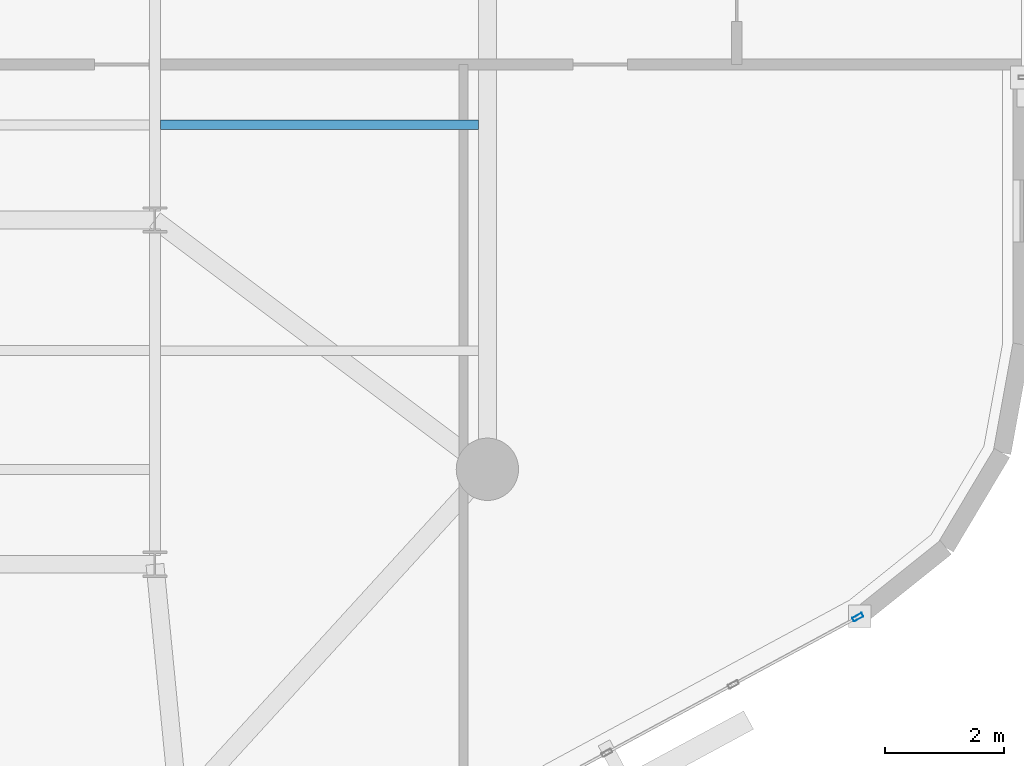
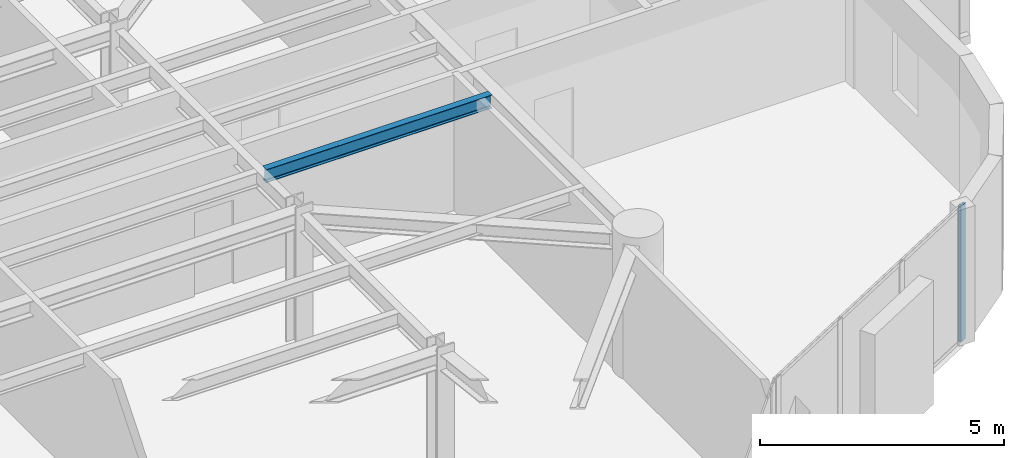
# One storey, part 3 of 15: 1 beam, 1 member, 1 element without a shape of its own.
"""IFC4 building model written with IfcOpenShell, lengths in metres."""

import ifcopenshell
import ifcopenshell.guid

model = None  # the IFC model being written
_history = None  # IfcOwnerHistory: only IFC2X3 demands one
_inside = {}  # id of a spatial element -> (the spatial element, [elements in it])
_under = {}  # id of a project, library or spatial element -> (it, [spatial elements below it])
_declared = {}  # id of a project -> (the project, [libraries it declares])
_typed = {}  # id of a type object -> (the type object, [elements of that type])
_made_of = {}  # id of a material, layer set ... -> (it, [elements and type objects made of it])


def new_model(schema):
    """Start an empty IFC model of exactly this schema.

    Asked for "IFC4X3", IfcOpenShell would pick the latest addendum, in which some entities
    have other attributes; the version numbers below select the first issue.
    IFC2X3 requires an IfcOwnerHistory on every rooted entity: one is made here for all.
    """
    global model, _history
    if schema == "IFC4X3":
        model = ifcopenshell.file(schema_version=(4, 3, 0, 0))
    else:
        model = ifcopenshell.file(schema=schema)
    _inside.clear()
    _under.clear()
    _declared.clear()
    _typed.clear()
    _made_of.clear()
    _history = None
    if model.schema == "IFC2X3":
        org = make("IfcOrganization", Name="unknown")
        user = make(
            "IfcPersonAndOrganization",
            ThePerson=make("IfcPerson", FamilyName="unknown"),
            TheOrganization=org,
        )
        app = make(
            "IfcApplication",
            ApplicationDeveloper=org,
            Version="unknown",
            ApplicationFullName="unknown",
            ApplicationIdentifier="unknown",
        )
        _history = make(
            "IfcOwnerHistory",
            OwningUser=user,
            OwningApplication=app,
            ChangeAction="ADDED",
            CreationDate=0,
        )
    return model


def make(cls, **values):
    """One entity of the class cls with the attributes given. An attribute that is None is left unset."""
    return model.create_entity(
        cls, **{name: value for name, value in values.items() if value is not None}
    )


def rooted(cls, **values):
    """An entity with a GlobalId (a new one), such as an element, a storey or a relation."""
    return make(cls, GlobalId=ifcopenshell.guid.new(), OwnerHistory=_history, **values)


def si_unit(unit_type, name, prefix=None):
    """IfcSIUnit, for example si_unit("LENGTHUNIT", "METRE", prefix="MILLI")."""
    return make("IfcSIUnit", UnitType=unit_type, Prefix=prefix, Name=name)


def assignment(units):
    """IfcUnitAssignment: the units of a project."""
    return None if units is None else make("IfcUnitAssignment", Units=units)


def point(xyz):
    """IfcCartesianPoint."""
    return None if xyz is None else make("IfcCartesianPoint", Coordinates=xyz)


def direction(xyz):
    """IfcDirection."""
    return None if xyz is None else make("IfcDirection", DirectionRatios=xyz)


def frame(location, z_axis=None, x_axis=None):
    """IfcAxis2Placement3D, a coordinate frame: its origin and axes. An axis left out is left unset."""
    return make(
        "IfcAxis2Placement3D",
        Location=point(location),
        Axis=direction(z_axis),
        RefDirection=direction(x_axis),
    )


def frame_2d(location, x_axis=None):
    """IfcAxis2Placement2D, a coordinate frame in the plane: its origin and x axis."""
    return make(
        "IfcAxis2Placement2D", Location=point(location), RefDirection=direction(x_axis)
    )


def origin():
    """The frame at (0, 0, 0) with its axes left unset."""
    return frame((0.0, 0.0, 0.0))


def origin_2d():
    """The frame at (0, 0) in the plane with its x axis left unset."""
    return frame_2d((0.0, 0.0))


def place(relative_to, where):
    """IfcLocalPlacement: puts the frame where relative to a parent placement (None: the world)."""
    return make(
        "IfcLocalPlacement", PlacementRelTo=relative_to, RelativePlacement=where
    )


def context(
    kind, dimensions, precision=None, world=None, true_north=None, identifier=None
):
    """IfcGeometricRepresentationContext, for example the 3D "Model" context."""
    return make(
        "IfcGeometricRepresentationContext",
        ContextIdentifier=identifier,
        ContextType=kind,
        CoordinateSpaceDimension=dimensions,
        Precision=precision,
        WorldCoordinateSystem=world,
        TrueNorth=true_north,
    )


def subcontext(parent, identifier, kind, view, scale=None):
    """IfcGeometricRepresentationSubContext, for example "Body" below "Model"."""
    return make(
        "IfcGeometricRepresentationSubContext",
        ContextIdentifier=identifier,
        ContextType=kind,
        ParentContext=parent,
        TargetScale=scale,
        TargetView=view,
    )


def project(units=None, contexts=None):
    """IfcProject with its units and contexts."""
    return rooted(
        "IfcProject",
        Name="project",
        RepresentationContexts=contexts,
        UnitsInContext=assignment(units),
    )


def spatial(cls, under=None, at=None, **own):
    """A site, building, storey or space (cls), placed at a placement, below another one or the project."""
    s = rooted(cls, ObjectPlacement=at, **own)
    if under is not None:
        _under.setdefault(under.id(), (under, []))[1].append(s)
    return s


def profile(cls, at=None, kind="AREA", **sizes):
    """A parametric profile (cls). Its sizes go by their IFC names, for example OverallWidth=200.0."""
    return make(cls, ProfileType=kind, Position=at, **sizes)


def hollow_rectangle(**sizes):
    """IfcRectangleHollowProfileDef."""
    return profile("IfcRectangleHollowProfileDef", **sizes)


def i_section(**sizes):
    """IfcIShapeProfileDef."""
    return profile("IfcIShapeProfileDef", **sizes)


def extrude(swept, where, along, depth):
    """IfcExtrudedAreaSolid: the profile swept, set in the frame where, extruded along a direction by depth."""
    return make(
        "IfcExtrudedAreaSolid",
        SweptArea=swept,
        Position=where,
        ExtrudedDirection=direction(along),
        Depth=depth,
    )


def shape(context_of_items, identifier, shape_type, items):
    """IfcShapeRepresentation: the items that make up one representation, for example the "Body"."""
    return make(
        "IfcShapeRepresentation",
        ContextOfItems=context_of_items,
        RepresentationIdentifier=identifier,
        RepresentationType=shape_type,
        Items=items,
    )


def material(Name=None, Category=None):
    """IfcMaterial."""
    return make("IfcMaterial", Name=Name, Category=Category)


def layer(
    of_material, thickness, ventilated=None, Name=None, Category=None, Priority=None
):
    """IfcMaterialLayer: one layer of a wall or slab, of a material (None: an air gap)."""
    return make(
        "IfcMaterialLayer",
        Material=of_material,
        LayerThickness=thickness,
        IsVentilated=ventilated,
        Name=Name,
        Category=Category,
        Priority=Priority,
    )


def layer_set(layers, Name=None):
    """IfcMaterialLayerSet."""
    return make("IfcMaterialLayerSet", MaterialLayers=layers, LayerSetName=Name)


def material_profile(
    of_material, cross_section, Name=None, Category=None, Priority=None
):
    """IfcMaterialProfile: a cross section and its material."""
    return make(
        "IfcMaterialProfile",
        Name=Name,
        Material=of_material,
        Profile=cross_section,
        Priority=Priority,
        Category=Category,
    )


def profile_set(profiles, Name=None, composite=None):
    """IfcMaterialProfileSet."""
    return make(
        "IfcMaterialProfileSet",
        Name=Name,
        MaterialProfiles=profiles,
        CompositeProfile=composite,
    )


def made_of(thing, what):
    """Note that an element or type object is made of a material, layer set ...; save() writes the relation."""
    if what is not None:
        _made_of.setdefault(what.id(), (what, []))[1].append(thing)
    return thing


def type_object(cls, material=None, **own):
    """A type object (cls), such as IfcWallType, which elements share."""
    return made_of(rooted(cls, **own), material)


def element(
    cls,
    number,
    at=None,
    inside=None,
    cuts=None,
    type_object=None,
    material=None,
    context=None,
    identifier="Body",
    shape_type=None,
    held_by="IfcProductDefinitionShape",
    body=None,
    shapes=None,
    **own,
):
    """One element of the class cls, such as IfcWall. Its Tag is "e" and its number.

    at: its placement. inside: the storey or other place that contains it. cuts: it is an
    opening in that element (IfcRelVoidsElement). A single representation is given by context,
    identifier, shape_type and body (its items); several are given by shapes. held_by: the class
    of the entity that holds the representations. save() writes the other relations.
    """
    e = rooted(cls, Tag="e%d" % number, ObjectPlacement=at, **own)
    if body is not None:
        shapes = [shape(context, identifier, shape_type, body)]
    if shapes is not None:
        e.Representation = make(held_by, Representations=shapes)
    if inside is not None:
        _inside.setdefault(inside.id(), (inside, []))[1].append(e)
    if cuts is not None:
        rooted(
            "IfcRelVoidsElement", RelatingBuildingElement=cuts, RelatedOpeningElement=e
        )
    if type_object is not None:
        _typed.setdefault(type_object.id(), (type_object, []))[1].append(e)
    return made_of(e, material)


def aggregate(whole, parts):
    """IfcRelAggregates: a whole, such as a stair, and the parts it consists of."""
    return rooted("IfcRelAggregates", RelatingObject=whole, RelatedObjects=parts)


def save(model, path):
    """Write the relations noted so far, then the file.

    IfcRelAggregates (storeys below a building ...), IfcRelContainedInSpatialStructure (elements
    in a storey), IfcRelDefinesByType, IfcRelAssociatesMaterial and IfcRelDeclares: one each for
    every whole, place, type object, material and project.
    """
    for whole, parts in _under.values():
        aggregate(whole, parts)
    for where, things in _inside.values():
        rooted(
            "IfcRelContainedInSpatialStructure",
            RelatedElements=things,
            RelatingStructure=where,
        )
    for kind, things in _typed.values():
        rooted("IfcRelDefinesByType", RelatedObjects=things, RelatingType=kind)
    for what, things in _made_of.values():
        rooted("IfcRelAssociatesMaterial", RelatedObjects=things, RelatingMaterial=what)
    for by, libraries in _declared.values():
        rooted("IfcRelDeclares", RelatingContext=by, RelatedDefinitions=libraries)
    model.write(path)


model = new_model("IFC4")

# Units and contexts
model_context = context("Model", 3, precision=1e-05, world=origin(), true_north=direction((0.0, 1.0)))
body_context = subcontext(model_context, "Body", "Model", "MODEL_VIEW")
ifc_project = project(units=[si_unit("LENGTHUNIT", "METRE"), si_unit("AREAUNIT", "SQUARE_METRE"), si_unit("VOLUMEUNIT", "CUBIC_METRE"), si_unit("PLANEANGLEUNIT", "RADIAN"), si_unit("MASSUNIT", "GRAM", prefix="KILO")], contexts=[model_context])

# Site, building, storey
site_placement = place(None, origin())
site = spatial("IfcSite", under=ifc_project, at=site_placement, CompositionType="ELEMENT")
building_placement = place(site_placement, origin())
building = spatial("IfcBuilding", under=site, at=building_placement, Name="An Khanh Terracotta Commons", CompositionType="ELEMENT")
storey_placement = place(building_placement, frame((0.0, 0.0, 208.5)))
storey = spatial("IfcBuildingStorey", under=building, at=storey_placement, Name="L54", CompositionType="ELEMENT", Elevation=208.5)

# Beam
ifc_material_1 = material(Name="Steel S355J2", Category="steel")
ifc_material_profile_1 = material_profile(ifc_material_1, i_section(OverallWidth=0.159912109375, OverallDepth=0.330078125, WebThickness=0.007568359375, FlangeThickness=0.011474609375, FilletRadius=0.01806640625, at=origin_2d()), Name="IPE330")
ifc_profile_set_1 = profile_set([ifc_material_profile_1], Name="Steel S355J2")
beam_type = type_object("IfcBeamType", Name="BM-IPE330", PredefinedType="JOIST", material=ifc_profile_set_1)
beam_placement = place(storey_placement, frame((54.094970703125, 21.800048828125, 3.235107421875), z_axis=(1.0, 0.0, 0.0), x_axis=(0.0, 1.0, 0.0)))
element("IfcBeam", 1, at=beam_placement, inside=storey, type_object=beam_type, Name="L54 Riverfront Composite Joist 3", PredefinedType="JOIST", context=body_context, shape_type="SweptSolid", body=[
    extrude(i_section(OverallWidth=0.159912109375, OverallDepth=0.330078125, WebThickness=0.007568359375, FlangeThickness=0.011474609375, FilletRadius=0.01806640625, at=origin_2d()), origin(), (0.0, 0.0, 1.0), 5.35498046875),
])

# Curtain wall, member
ifc_material_2 = material(Name="Anodised Aluminium 6063-T6", Category="aluminium")
ifc_layer = layer(ifc_material_2, 0.2099609375, Name="Anodised Aluminium 6063-T6")
ifc_layer_set = layer_set([ifc_layer], Name="Anodised Aluminium 6063-T6")
curtain_wall_type = type_object("IfcCurtainWallType", Name="CW-SYS-03", PredefinedType="USERDEFINED", material=ifc_layer_set)
curtain_wall_placement = place(storey_placement, origin())
curtain_wall = element("IfcCurtainWall", 2, at=curtain_wall_placement, inside=storey, type_object=curtain_wall_type, Name="L54 CW-03 Unitised Curtain Wall CW-L54-08", ObjectType="UNITISED CURTAIN WALL", PredefinedType="USERDEFINED")
ifc_material_profile_2 = material_profile(ifc_material_2, hollow_rectangle(XDim=0.070068359375, YDim=0.179931640625, WallThickness=0.00390625, InnerFilletRadius=0.00390625, OuterFilletRadius=0.008056640625, at=origin_2d()), Name="RHS180x70x4")
ifc_profile_set_2 = profile_set([ifc_material_profile_2], Name="Anodised Aluminium 6063-T6")
member_type = type_object("IfcMemberType", Name="CWM-RHS180x70x4", PredefinedType="MULLION", material=ifc_profile_set_2)
member_placement = place(storey_placement, frame((65.84130859375, 13.50927734375, 0.0), z_axis=(0.0, 0.0, 1.0), x_axis=(-0.47538088298, 0.879780095306, 0.0)))
member = element("IfcMember", 3, at=member_placement, type_object=member_type, Name="CW-03 mullion 5", PredefinedType="MULLION", context=body_context, shape_type="SweptSolid", body=[
    extrude(hollow_rectangle(XDim=0.070068359375, YDim=0.179931640625, WallThickness=0.00390625, InnerFilletRadius=0.00390625, OuterFilletRadius=0.008056640625, at=origin_2d()), origin(), (0.0, 0.0, 1.0), 3.39990234375),
])
aggregate(curtain_wall, [member])

save(model, "model.ifc")
